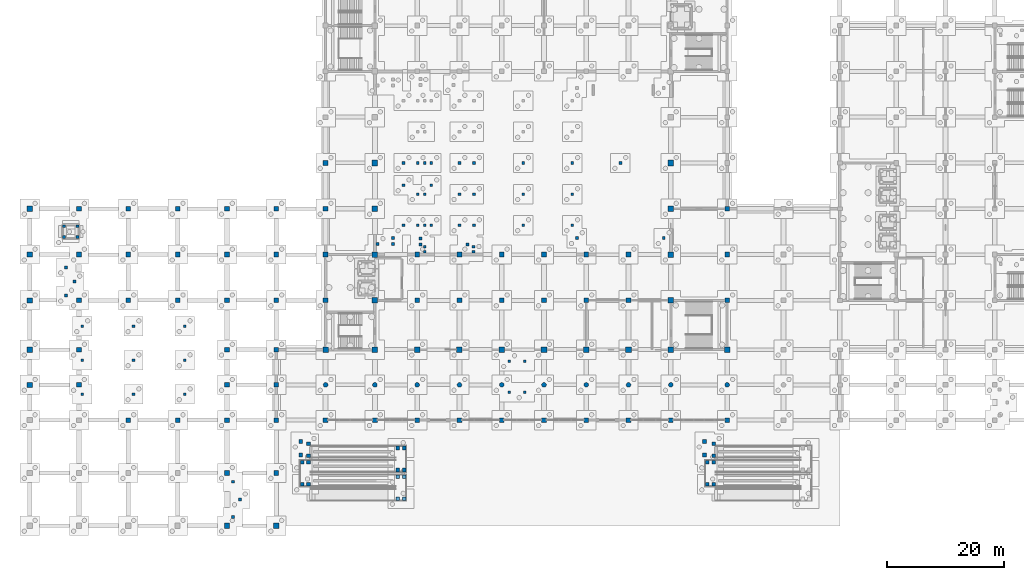
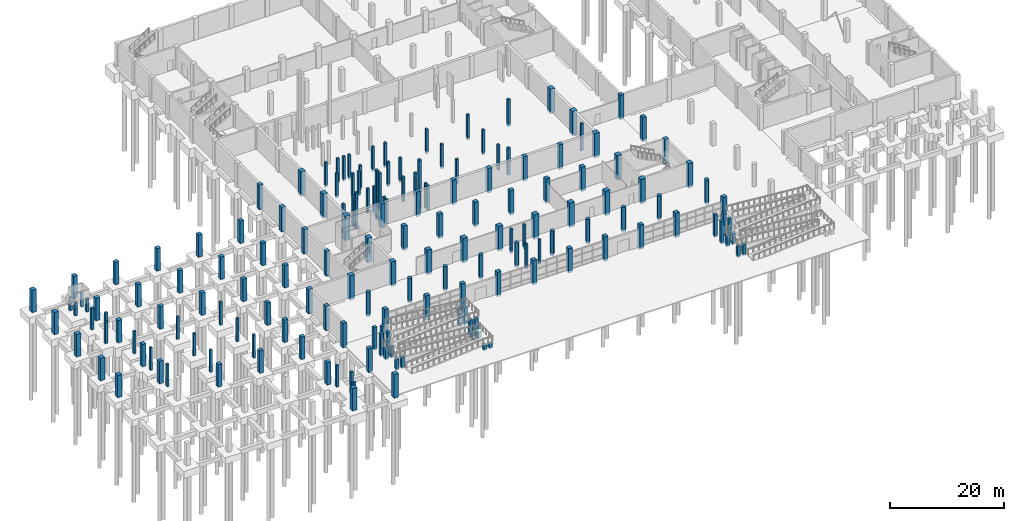
# One storey, part 16 of 42: 175 columns.
"""IFC4 building model written with IfcOpenShell, lengths in metres."""

from ifc_helpers import new_model, si_unit, direction, frame, origin, origin_2d, place, context, subcontext, project, spatial, rectangle, circle, extrude, material, material_profile, profile_set, type_object, element, save


model = new_model("IFC4")

# Units and contexts
model_context = context("Model", 3, precision=1e-05, world=origin(), true_north=direction((0.0, 1.0)))
body_context = subcontext(model_context, "Body", "Model", "MODEL_VIEW")
ifc_project = project(units=[si_unit("LENGTHUNIT", "METRE"), si_unit("AREAUNIT", "SQUARE_METRE"), si_unit("VOLUMEUNIT", "CUBIC_METRE"), si_unit("PLANEANGLEUNIT", "RADIAN"), si_unit("MASSUNIT", "GRAM", prefix="KILO")], contexts=[model_context])

# Site, building, storey
site_placement = place(None, origin())
site = spatial("IfcSite", under=ifc_project, at=site_placement, CompositionType="ELEMENT")
building_placement = place(site_placement, origin())
building = spatial("IfcBuilding", under=site, at=building_placement, Name="Pellamere Symphony Hall", CompositionType="ELEMENT")
storey_placement = place(building_placement, frame((0.0, 0.0, -4.800048828125)))
storey = spatial("IfcBuildingStorey", under=building, at=storey_placement, Name="B1", CompositionType="ELEMENT", Elevation=-4.800048828125)

# Columns
ifc_material_1 = material(Name="Concrete 50 MPa", Category="concrete")
ifc_material_profile_1 = material_profile(ifc_material_1, circle(Radius=0.39990234375, at=origin_2d()), Name="RCCOL D800")
ifc_profile_set_1 = profile_set([ifc_material_profile_1], Name="Concrete 50 MPa")
column_type_1 = type_object("IfcColumnType", Name="RC Circular Foyer Column CC-15 D800", PredefinedType="COLUMN", material=ifc_profile_set_1)
for number, where, z_axis, x_axis, name in (
    (1, (50.39990234375, 24.0, -0.449951171875), (0.0, 0.0, 1.0), (1.0, 0.0, 0.0), "Column C-7D (B1)"),
    (2, (58.800048828125, 24.0, -0.449951171875), (0.0, 0.0, 1.0), (1.0, 0.0, 0.0), "Column C-8D (B1)"),
    (3, (66.0, 24.0, -0.449951171875), (0.0, 0.0, 1.0), (1.0, 0.0, 0.0), "Column C-9D (B1)"),
    (4, (73.199951171875, 24.0, -0.449951171875), (0.0, 0.0, 1.0), (1.0, 0.0, 0.0), "Column C-10D (B1)"),
    (5, (80.39990234375, 24.0, -0.449951171875), (0.0, 0.0, 1.0), (1.0, 0.0, 0.0), "Column C-11D (B1)"),
    (6, (87.60009765625, 24.0, -0.449951171875), (0.0, 0.0, 1.0), (1.0, 0.0, 0.0), "Column C-12D (B1)"),
    (7, (94.800048828125, 24.0, -0.449951171875), (0.0, 0.0, 1.0), (1.0, 0.0, 0.0), "Column C-13D (B1)"),
    (8, (102.0, 24.0, -0.449951171875), (0.0, 0.0, 1.0), (1.0, 0.0, 0.0), "Column C-14D (B1)"),
    (9, (109.199951171875, 24.0, -0.449951171875), (0.0, 0.0, 1.0), (1.0, 0.0, 0.0), "Column C-15D (B1)"),
    (10, (118.800048828125, 24.0, -0.449951171875), (0.0, 0.0, 1.0), (1.0, 0.0, 0.0), "Column C-16D (B1)"),
):
    element("IfcColumn", number, at=place(storey_placement, frame(where, z_axis=z_axis, x_axis=x_axis)), inside=storey, type_object=column_type_1, Name=name, PredefinedType="COLUMN", context=body_context, shape_type="SweptSolid", body=[
        extrude(circle(Radius=0.39990234375, at=origin_2d()), origin(), (0.0, 0.0, 1.0), 5.25),
    ])
ifc_material_profile_2 = material_profile(ifc_material_1, rectangle(XDim=0.949951171875, YDim=0.949951171875, at=origin_2d()), Name="RC 950x950")
ifc_profile_set_2 = profile_set([ifc_material_profile_2], Name="Concrete 50 MPa")
column_type_2 = type_object("IfcColumnType", Name="RC Column CC-01 950x950", PredefinedType="COLUMN", material=ifc_profile_set_2)
for number, where, z_axis, x_axis, name in (
    (11, (50.39990234375, 30.0, -0.449951171875), (0.0, 0.0, 1.0), (1.0, 0.0, 0.0), "Column C-7E (B1)"),
    (12, (58.800048828125, 30.0, -0.449951171875), (0.0, 0.0, 1.0), (1.0, 0.0, 0.0), "Column C-8E (B1)"),
    (13, (58.800048828125, 38.39990234375, -0.449951171875), (0.0, 0.0, 1.0), (1.0, 0.0, 0.0), "Column C-8F (B1)"),
    (14, (58.800048828125, 46.199951171875, -0.449951171875), (0.0, 0.0, 1.0), (1.0, 0.0, 0.0), "Column C-8G (B1)"),
    (15, (58.800048828125, 54.0, -0.449951171875), (0.0, 0.0, 1.0), (1.0, 0.0, 0.0), "Column C-8H (B1)"),
    (16, (58.800048828125, 61.800048828125, -0.449951171875), (0.0, 0.0, 1.0), (1.0, 0.0, 0.0), "Column C-8I (B1)"),
    (17, (66.0, 30.0, -0.449951171875), (0.0, 0.0, 1.0), (1.0, 0.0, 0.0), "Column C-9E (B1)"),
    (18, (73.199951171875, 30.0, -0.449951171875), (0.0, 0.0, 1.0), (1.0, 0.0, 0.0), "Column C-10E (B1)"),
    (19, (80.39990234375, 30.0, -0.449951171875), (0.0, 0.0, 1.0), (1.0, 0.0, 0.0), "Column C-11E (B1)"),
    (20, (87.60009765625, 30.0, -0.449951171875), (0.0, 0.0, 1.0), (1.0, 0.0, 0.0), "Column C-12E (B1)"),
    (21, (94.800048828125, 30.0, -0.449951171875), (0.0, 0.0, 1.0), (1.0, 0.0, 0.0), "Column C-13E (B1)"),
    (22, (102.0, 30.0, -0.449951171875), (0.0, 0.0, 1.0), (1.0, 0.0, 0.0), "Column C-14E (B1)"),
    (23, (109.199951171875, 30.0, -0.449951171875), (0.0, 0.0, 1.0), (1.0, 0.0, 0.0), "Column C-15E (B1)"),
    (24, (109.199951171875, 38.39990234375, -0.449951171875), (0.0, 0.0, 1.0), (1.0, 0.0, 0.0), "Column C-15F (B1)"),
    (25, (109.199951171875, 46.199951171875, -0.449951171875), (0.0, 0.0, 1.0), (1.0, 0.0, 0.0), "Column C-15G (B1)"),
    (26, (109.199951171875, 54.0, -0.449951171875), (0.0, 0.0, 1.0), (1.0, 0.0, 0.0), "Column C-15H (B1)"),
    (27, (109.199951171875, 61.800048828125, -0.449951171875), (0.0, 0.0, 1.0), (1.0, 0.0, 0.0), "Column C-15I (B1)"),
    (28, (118.800048828125, 30.0, -0.449951171875), (0.0, 0.0, 1.0), (1.0, 0.0, 0.0), "Column C-16E (B1)"),
):
    element("IfcColumn", number, at=place(storey_placement, frame(where, z_axis=z_axis, x_axis=x_axis)), inside=storey, type_object=column_type_2, Name=name, PredefinedType="COLUMN", context=body_context, shape_type="SweptSolid", body=[
        extrude(rectangle(XDim=0.949951171875, YDim=0.949951171875, at=origin_2d()), origin(), (0.0, 0.0, 1.0), 5.25),
    ])
ifc_material_2 = material(Name="Concrete 40 MPa", Category="concrete")
ifc_material_profile_3 = material_profile(ifc_material_2, rectangle(XDim=0.800048828125, YDim=0.800048828125, at=origin_2d()), Name="RC 800x800")
ifc_profile_set_3 = profile_set([ifc_material_profile_3], Name="Concrete 40 MPa")
column_type_3 = type_object("IfcColumnType", Name="RC Column CC-04 800x800", PredefinedType="COLUMN", material=ifc_profile_set_3)
for number, where, z_axis, x_axis, name in (
    (29, (8.39990234375, 24.0, 0.0), (0.0, 0.0, 1.0), (1.0, 0.0, 0.0), "Column C-2D (B1)"),
    (30, (8.39990234375, 30.0, 0.0), (0.0, 0.0, 1.0), (1.0, 0.0, 0.0), "Column C-2E (B1)"),
    (31, (8.39990234375, 38.39990234375, 0.0), (0.0, 0.0, 1.0), (1.0, 0.0, 0.0), "Column C-2F (B1)"),
    (32, (8.39990234375, 46.199951171875, 0.0), (0.0, 0.0, 1.0), (1.0, 0.0, 0.0), "Column C-2G (B1)"),
    (33, (8.39990234375, 54.0, 0.0), (0.0, 0.0, 1.0), (1.0, 0.0, 0.0), "Column C-2H (B1)"),
    (34, (16.800048828125, 18.0, 0.0), (0.0, 0.0, 1.0), (1.0, 0.0, 0.0), "Column C-3C (B1)"),
    (35, (16.800048828125, 38.39990234375, 0.0), (0.0, 0.0, 1.0), (1.0, 0.0, 0.0), "Column C-3F (B1)"),
    (36, (16.800048828125, 46.199951171875, 0.0), (0.0, 0.0, 1.0), (1.0, 0.0, 0.0), "Column C-3G (B1)"),
    (37, (16.800048828125, 54.0, 0.0), (0.0, 0.0, 1.0), (1.0, 0.0, 0.0), "Column C-3H (B1)"),
    (38, (25.199951171875, 18.0, 0.0), (0.0, 0.0, 1.0), (1.0, 0.0, 0.0), "Column C-4C (B1)"),
    (39, (25.199951171875, 38.39990234375, 0.0), (0.0, 0.0, 1.0), (1.0, 0.0, 0.0), "Column C-4F (B1)"),
    (40, (25.199951171875, 46.199951171875, 0.0), (0.0, 0.0, 1.0), (1.0, 0.0, 0.0), "Column C-4G (B1)"),
    (41, (25.199951171875, 54.0, 0.0), (0.0, 0.0, 1.0), (1.0, 0.0, 0.0), "Column C-4H (B1)"),
    (42, (33.60009765625, 9.0, 0.0), (0.0, 0.0, 1.0), (1.0, 0.0, 0.0), "Column C-5B (B1)"),
    (43, (33.60009765625, 18.0, 0.0), (0.0, 0.0, 1.0), (1.0, 0.0, 0.0), "Column C-5C (B1)"),
    (44, (33.60009765625, 24.0, 0.0), (0.0, 0.0, 1.0), (1.0, 0.0, 0.0), "Column C-5D (B1)"),
    (45, (33.60009765625, 30.0, 0.0), (0.0, 0.0, 1.0), (1.0, 0.0, 0.0), "Column C-5E (B1)"),
    (46, (33.60009765625, 38.39990234375, 0.0), (0.0, 0.0, 1.0), (1.0, 0.0, 0.0), "Column C-5F (B1)"),
    (47, (33.60009765625, 46.199951171875, 0.0), (0.0, 0.0, 1.0), (1.0, 0.0, 0.0), "Column C-5G (B1)"),
    (48, (33.60009765625, 54.0, 0.0), (0.0, 0.0, 1.0), (1.0, 0.0, 0.0), "Column C-5H (B1)"),
):
    element("IfcColumn", number, at=place(storey_placement, frame(where, z_axis=z_axis, x_axis=x_axis)), inside=storey, type_object=column_type_3, Name=name, PredefinedType="COLUMN", context=body_context, shape_type="SweptSolid", body=[
        extrude(rectangle(XDim=0.800048828125, YDim=0.800048828125, at=origin_2d()), origin(), (0.0, 0.0, 1.0), 4.800048828125),
    ])
column_1_placement = place(storey_placement, frame((42.0, 9.0, -0.25), z_axis=(0.0, 0.0, 1.0), x_axis=(1.0, 0.0, 0.0)))
element("IfcColumn", 49, at=column_1_placement, inside=storey, type_object=column_type_3, Name="Column C-6B (B1)", PredefinedType="COLUMN", context=body_context, shape_type="SweptSolid", body=[
    extrude(rectangle(XDim=0.800048828125, YDim=0.800048828125, at=origin_2d()), origin(), (0.0, 0.0, 1.0), 5.050048828125),
])
for number, where, z_axis, x_axis, name in (
    (50, (42.0, 18.0, -0.449951171875), (0.0, 0.0, 1.0), (1.0, 0.0, 0.0), "Column C-6C (B1)"),
    (51, (42.0, 24.0, -0.449951171875), (0.0, 0.0, 1.0), (1.0, 0.0, 0.0), "Column C-6D (B1)"),
    (52, (42.0, 30.0, -0.449951171875), (0.0, 0.0, 1.0), (1.0, 0.0, 0.0), "Column C-6E (B1)"),
):
    element("IfcColumn", number, at=place(storey_placement, frame(where, z_axis=z_axis, x_axis=x_axis)), inside=storey, type_object=column_type_3, Name=name, PredefinedType="COLUMN", context=body_context, shape_type="SweptSolid", body=[
        extrude(rectangle(XDim=0.800048828125, YDim=0.800048828125, at=origin_2d()), origin(), (0.0, 0.0, 1.0), 5.25),
    ])
for number, where, z_axis, x_axis, name in (
    (53, (42.0, 38.39990234375, 0.0), (0.0, 0.0, 1.0), (1.0, 0.0, 0.0), "Column C-6F (B1)"),
    (54, (42.0, 46.199951171875, 0.0), (0.0, 0.0, 1.0), (1.0, 0.0, 0.0), "Column C-6G (B1)"),
    (55, (42.0, 54.0, 0.0), (0.0, 0.0, 1.0), (1.0, 0.0, 0.0), "Column C-6H (B1)"),
):
    element("IfcColumn", number, at=place(storey_placement, frame(where, z_axis=z_axis, x_axis=x_axis)), inside=storey, type_object=column_type_3, Name=name, PredefinedType="COLUMN", context=body_context, shape_type="SweptSolid", body=[
        extrude(rectangle(XDim=0.800048828125, YDim=0.800048828125, at=origin_2d()), origin(), (0.0, 0.0, 1.0), 4.800048828125),
    ])
for number, where, z_axis, x_axis, name in (
    (56, (50.39990234375, 18.0, -0.449951171875), (0.0, 0.0, 1.0), (1.0, 0.0, 0.0), "Column C-7C (B1)"),
    (57, (50.39990234375, 38.39990234375, -0.449951171875), (0.0, 0.0, 1.0), (1.0, 0.0, 0.0), "Column C-7F (B1)"),
    (58, (50.39990234375, 46.199951171875, -0.449951171875), (0.0, 0.0, 1.0), (1.0, 0.0, 0.0), "Column C-7G (B1)"),
    (59, (50.39990234375, 54.0, -0.449951171875), (0.0, 0.0, 1.0), (1.0, 0.0, 0.0), "Column C-7H (B1)"),
    (60, (50.39990234375, 61.800048828125, -0.449951171875), (0.0, 0.0, 1.0), (1.0, 0.0, 0.0), "Column C-7I (B1)"),
    (61, (58.800048828125, 18.0, -0.449951171875), (0.0, 0.0, 1.0), (1.0, 0.0, 0.0), "Column C-8C (B1)"),
    (62, (66.0, 18.0, -0.449951171875), (0.0, 0.0, 1.0), (1.0, 0.0, 0.0), "Column C-9C (B1)"),
    (63, (66.0, 38.39990234375, -0.449951171875), (0.0, 0.0, 1.0), (1.0, 0.0, 0.0), "Column C-9F (B1)"),
    (64, (66.0, 46.199951171875, -0.449951171875), (0.0, 0.0, 1.0), (1.0, 0.0, 0.0), "Column C-9G (B1)"),
    (65, (73.199951171875, 18.0, -0.449951171875), (0.0, 0.0, 1.0), (1.0, 0.0, 0.0), "Column C-10C (B1)"),
    (66, (73.199951171875, 38.39990234375, -0.449951171875), (0.0, 0.0, 1.0), (1.0, 0.0, 0.0), "Column C-10F (B1)"),
    (67, (73.199951171875, 46.199951171875, -0.449951171875), (0.0, 0.0, 1.0), (1.0, 0.0, 0.0), "Column C-10G (B1)"),
    (68, (80.39990234375, 18.0, -0.449951171875), (0.0, 0.0, 1.0), (1.0, 0.0, 0.0), "Column C-11C (B1)"),
    (69, (80.39990234375, 38.39990234375, -0.449951171875), (0.0, 0.0, 1.0), (1.0, 0.0, 0.0), "Column C-11F (B1)"),
    (70, (80.39990234375, 46.199951171875, -0.449951171875), (0.0, 0.0, 1.0), (1.0, 0.0, 0.0), "Column C-11G (B1)"),
    (71, (87.60009765625, 18.0, -0.449951171875), (0.0, 0.0, 1.0), (1.0, 0.0, 0.0), "Column C-12C (B1)"),
    (72, (87.60009765625, 38.39990234375, -0.449951171875), (0.0, 0.0, 1.0), (1.0, 0.0, 0.0), "Column C-12F (B1)"),
    (73, (87.60009765625, 46.199951171875, -0.449951171875), (0.0, 0.0, 1.0), (1.0, 0.0, 0.0), "Column C-12G (B1)"),
    (74, (94.800048828125, 18.0, -0.449951171875), (0.0, 0.0, 1.0), (1.0, 0.0, 0.0), "Column C-13C (B1)"),
    (75, (94.800048828125, 38.39990234375, -0.449951171875), (0.0, 0.0, 1.0), (1.0, 0.0, 0.0), "Column C-13F (B1)"),
    (76, (94.800048828125, 46.199951171875, -0.449951171875), (0.0, 0.0, 1.0), (1.0, 0.0, 0.0), "Column C-13G (B1)"),
    (77, (102.0, 18.0, -0.449951171875), (0.0, 0.0, 1.0), (1.0, 0.0, 0.0), "Column C-14C (B1)"),
    (78, (102.0, 38.39990234375, -0.449951171875), (0.0, 0.0, 1.0), (1.0, 0.0, 0.0), "Column C-14F (B1)"),
    (79, (102.0, 46.199951171875, -0.449951171875), (0.0, 0.0, 1.0), (1.0, 0.0, 0.0), "Column C-14G (B1)"),
    (80, (109.199951171875, 18.0, -0.449951171875), (0.0, 0.0, 1.0), (1.0, 0.0, 0.0), "Column C-15C (B1)"),
    (81, (118.800048828125, 18.0, -0.449951171875), (0.0, 0.0, 1.0), (1.0, 0.0, 0.0), "Column C-16C (B1)"),
    (82, (118.800048828125, 38.39990234375, -0.449951171875), (0.0, 0.0, 1.0), (1.0, 0.0, 0.0), "Column C-16F (B1)"),
    (83, (118.800048828125, 46.199951171875, -0.449951171875), (0.0, 0.0, 1.0), (1.0, 0.0, 0.0), "Column C-16G (B1)"),
    (84, (118.800048828125, 54.0, -0.449951171875), (0.0, 0.0, 1.0), (1.0, 0.0, 0.0), "Column C-16H (B1)"),
):
    element("IfcColumn", number, at=place(storey_placement, frame(where, z_axis=z_axis, x_axis=x_axis)), inside=storey, type_object=column_type_3, Name=name, PredefinedType="COLUMN", context=body_context, shape_type="SweptSolid", body=[
        extrude(rectangle(XDim=0.800048828125, YDim=0.800048828125, at=origin_2d()), origin(), (0.0, 0.0, 1.0), 5.25),
    ])
ifc_material_3 = material(Name="Concrete 35 MPa", Category="concrete")
ifc_material_profile_4 = material_profile(ifc_material_3, rectangle(XDim=0.5, YDim=0.5, at=origin_2d()), Name="RC 500x500")
ifc_profile_set_4 = profile_set([ifc_material_profile_4], Name="Concrete 35 MPa")
column_type_4 = type_object("IfcColumnType", Name="RC Column CC-10 500x500", PredefinedType="COLUMN", material=ifc_profile_set_4)
for number, where, z_axis, x_axis, name in (
    (85, (6.199951171875, 39.199951171875, 0.0), (0.0, 0.0, 1.0), (1.0, 0.0, 0.0), "Stair ST03 Foundation Support Column 1"),
    (86, (6.199951171875, 44.0, 0.0), (0.0, 0.0, 1.0), (1.0, 0.0, 0.0), "Stair ST03 Foundation Support Column 2"),
    (87, (7.60009765625, 41.60009765625, 0.0), (0.0, 0.0, 1.0), (1.0, 0.0, 0.0), "Stair ST03 Foundation Support Column 3"),
    (88, (34.60009765625, 1.5, 0.0), (0.0, 0.0, 1.0), (1.0, 0.0, 0.0), "Stair ST09 Foundation Support Column 1"),
    (89, (34.60009765625, 7.5, 0.0), (0.0, 0.0, 1.0), (1.0, 0.0, 0.0), "Stair ST09 Foundation Support Column 2"),
    (90, (35.800048828125, 4.5, 0.0), (0.0, 0.0, 1.0), (1.0, 0.0, 0.0), "Stair ST09 Foundation Support Column 3"),
):
    element("IfcColumn", number, at=place(storey_placement, frame(where, z_axis=z_axis, x_axis=x_axis)), inside=storey, type_object=column_type_4, Name=name, PredefinedType="COLUMN", context=body_context, shape_type="SweptSolid", body=[
        extrude(rectangle(XDim=0.5, YDim=0.5, at=origin_2d()), origin(), (0.0, 0.0, 1.0), 4.580078125),
    ])
for number, where, z_axis, x_axis, name in (
    (91, (59.25, 48.0, -0.449951171875), (0.0, 0.0, 1.0), (1.0, 0.0, 0.0), "Vomitory VOM-01 Arrival Platform Column 1"),
    (92, (61.85009765625, 48.0, -0.449951171875), (0.0, 0.0, 1.0), (1.0, 0.0, 0.0), "Vomitory VOM-01 Arrival Platform Column 2"),
    (93, (61.85009765625, 49.0, -0.449951171875), (0.0, 0.0, 1.0), (1.0, 0.0, 0.0), "Vomitory VOM-01 Arrival Platform Column 3"),
):
    element("IfcColumn", number, at=place(storey_placement, frame(where, z_axis=z_axis, x_axis=x_axis)), inside=storey, type_object=column_type_4, Name=name, PredefinedType="COLUMN", context=body_context, shape_type="SweptSolid", body=[
        extrude(rectangle(XDim=0.5, YDim=0.5, at=origin_2d()), origin(), (0.0, 0.0, 1.0), 6.280029296875),
    ])
for number, where, z_axis, x_axis, name in (
    (94, (66.550048828125, 47.89990234375, -0.449951171875), (0.0, 0.0, 1.0), (1.0, 0.0, 0.0), "Vomitory VOM-03 Lower Landing Column 1"),
    (95, (74.550048828125, 47.89990234375, -0.449951171875), (0.0, 0.0, 1.0), (1.0, 0.0, 0.0), "Vomitory VOM-03 Lower Landing Column 2"),
    (96, (66.550048828125, 48.89990234375, -0.449951171875), (0.0, 0.0, 1.0), (1.0, 0.0, 0.0), "Vomitory VOM-03 Lower Landing Column 3"),
):
    element("IfcColumn", number, at=place(storey_placement, frame(where, z_axis=z_axis, x_axis=x_axis)), inside=storey, type_object=column_type_4, Name=name, PredefinedType="COLUMN", context=body_context, shape_type="SweptSolid", body=[
        extrude(rectangle(XDim=0.5, YDim=0.5, at=origin_2d()), origin(), (0.0, 0.0, 1.0), 10.429931640625),
    ])
for number, where, z_axis, x_axis, name in (
    (97, (93.199951171875, 49.0, -0.449951171875), (0.0, 0.0, 1.0), (1.0, 0.0, 0.0), "Stage Platform Support Pedestal 1"),
    (98, (108.0, 49.0, -0.449951171875), (0.0, 0.0, 1.0), (1.0, 0.0, 0.0), "Stage Platform Support Pedestal 2"),
    (99, (100.60009765625, 61.800048828125, -0.449951171875), (0.0, 0.0, 1.0), (1.0, 0.0, 0.0), "Stage Platform Support Pedestal 3"),
):
    element("IfcColumn", number, at=place(storey_placement, frame(where, z_axis=z_axis, x_axis=x_axis)), inside=storey, type_object=column_type_4, Name=name, PredefinedType="COLUMN", context=body_context, shape_type="SweptSolid", body=[
        extrude(rectangle(XDim=0.5, YDim=0.5, at=origin_2d()), origin(), (0.0, 0.0, 1.0), 5.800048828125),
    ])
for number, where, z_axis, x_axis, name in (
    (100, (5.85009765625, 49.175048828125, 0.0), (0.0, 0.0, 1.0), (1.0, 0.0, 0.0), "Elevator PL5 Pit Support Column 1"),
    (101, (8.14990234375, 49.175048828125, 0.0), (0.0, 0.0, 1.0), (1.0, 0.0, 0.0), "Elevator PL5 Pit Support Column 2"),
    (102, (8.14990234375, 51.02490234375, 0.0), (0.0, 0.0, 1.0), (1.0, 0.0, 0.0), "Elevator PL5 Pit Support Column 3"),
    (103, (5.85009765625, 51.02490234375, 0.0), (0.0, 0.0, 1.0), (1.0, 0.0, 0.0), "Elevator PL5 Pit Support Column 4"),
):
    element("IfcColumn", number, at=place(storey_placement, frame(where, z_axis=z_axis, x_axis=x_axis)), inside=storey, type_object=column_type_4, Name=name, PredefinedType="COLUMN", context=body_context, shape_type="SweptSolid", body=[
        extrude(rectangle(XDim=0.5, YDim=0.5, at=origin_2d()), origin(), (0.0, 0.0, 1.0), 2.820068359375),
    ])
ifc_material_profile_5 = material_profile(ifc_material_2, rectangle(XDim=0.449951171875, YDim=0.449951171875, at=origin_2d()), Name="RC 450x450")
ifc_profile_set_5 = profile_set([ifc_material_profile_5], Name="Concrete 40 MPa")
column_type_5 = type_object("IfcColumnType", Name="RC Column CC-18 450x450", PredefinedType="COLUMN", material=ifc_profile_set_5)
for number, where, z_axis, x_axis, name in (
    (104, (8.949951171875, 22.39990234375, 0.0), (0.0, 0.0, 1.0), (1.0, 0.0, 0.0), "Under-Tier Raker Support Column RKC-001 (B1)"),
    (105, (8.949951171875, 28.199951171875, 0.0), (0.0, 0.0, 1.0), (1.0, 0.0, 0.0), "Under-Tier Raker Support Column RKC-004 (B1)"),
    (106, (8.949951171875, 34.0, 0.0), (0.0, 0.0, 1.0), (1.0, 0.0, 0.0), "Under-Tier Raker Support Column RKC-007 (B1)"),
    (107, (17.675048828125, 22.39990234375, 0.0), (0.0, 0.0, 1.0), (1.0, 0.0, 0.0), "Under-Tier Raker Support Column RKC-010 (B1)"),
    (108, (17.675048828125, 28.199951171875, 0.0), (0.0, 0.0, 1.0), (1.0, 0.0, 0.0), "Under-Tier Raker Support Column RKC-012 (B1)"),
    (109, (17.675048828125, 34.0, 0.0), (0.0, 0.0, 1.0), (1.0, 0.0, 0.0), "Under-Tier Raker Support Column RKC-014 (B1)"),
):
    element("IfcColumn", number, at=place(storey_placement, frame(where, z_axis=z_axis, x_axis=x_axis)), inside=storey, type_object=column_type_5, Name=name, PredefinedType="COLUMN", context=body_context, shape_type="SweptSolid", body=[
        extrude(rectangle(XDim=0.449951171875, YDim=0.449951171875, at=origin_2d()), origin(), (0.0, 0.0, 1.0), 4.800048828125),
    ])
for number, where, z_axis, x_axis, name in (
    (110, (26.39990234375, 22.39990234375, 0.0), (0.0, 0.0, 1.0), (1.0, 0.0, 0.0), "Under-Tier Raker Support Column RKC-016 (B1)"),
    (111, (26.39990234375, 28.199951171875, 0.0), (0.0, 0.0, 1.0), (1.0, 0.0, 0.0), "Under-Tier Raker Support Column RKC-017 (B1)"),
    (112, (26.39990234375, 34.0, 0.0), (0.0, 0.0, 1.0), (1.0, 0.0, 0.0), "Under-Tier Raker Support Column RKC-018 (B1)"),
):
    element("IfcColumn", number, at=place(storey_placement, frame(where, z_axis=z_axis, x_axis=x_axis)), inside=storey, type_object=column_type_5, Name=name, PredefinedType="COLUMN", context=body_context, shape_type="SweptSolid", body=[
        extrude(rectangle(XDim=0.449951171875, YDim=0.449951171875, at=origin_2d()), origin(), (0.0, 0.0, 1.0), 4.949951171875),
    ])
for number, where, z_axis, x_axis, name in (
    (113, (63.675048828125, 51.199951171875, -0.449951171875), (0.0, 0.0, 1.0), (1.0, 0.0, 0.0), "Under-Tier Raker Support Column RKC-019 (B1)"),
    (114, (63.675048828125, 58.0, -0.449951171875), (0.0, 0.0, 1.0), (1.0, 0.0, 0.0), "Under-Tier Raker Support Column RKC-023 (B1)"),
    (115, (63.675048828125, 61.800048828125, -0.449951171875), (0.0, 0.0, 1.0), (1.0, 0.0, 0.0), "Under-Tier Raker Support Column RKC-027 (B1)"),
    (116, (66.074951171875, 51.199951171875, -0.449951171875), (0.0, 0.0, 1.0), (1.0, 0.0, 0.0), "Under-Tier Raker Support Column RKC-035 (B1)"),
    (117, (66.074951171875, 56.5, -0.449951171875), (0.0, 0.0, 1.0), (1.0, 0.0, 0.0), "Under-Tier Raker Support Column RKC-039 (B1)"),
    (118, (66.074951171875, 61.800048828125, -0.449951171875), (0.0, 0.0, 1.0), (1.0, 0.0, 0.0), "Under-Tier Raker Support Column RKC-043 (B1)"),
    (119, (67.27490234375, 46.64990234375, -0.449951171875), (0.0, 0.0, 1.0), (1.0, 0.0, 0.0), "Under-Tier Raker Support Column RKC-055 (B1)"),
    (120, (67.27490234375, 47.550048828125, -0.449951171875), (0.0, 0.0, 1.0), (1.0, 0.0, 0.0), "Under-Tier Raker Support Column RKC-058 (B1)"),
    (121, (67.31201171875, 51.199951171875, -0.449951171875), (0.0, 0.0, 1.0), (1.0, 0.0, 0.0), "Under-Tier Raker Support Column RKC-061 (B1)"),
    (122, (67.31201171875, 56.5, -0.449951171875), (0.0, 0.0, 1.0), (1.0, 0.0, 0.0), "Under-Tier Raker Support Column RKC-064 (B1)"),
    (123, (67.31201171875, 61.800048828125, -0.449951171875), (0.0, 0.0, 1.0), (1.0, 0.0, 0.0), "Under-Tier Raker Support Column RKC-067 (B1)"),
    (124, (68.39990234375, 51.199951171875, -0.449951171875), (0.0, 0.0, 1.0), (1.0, 0.0, 0.0), "Under-Tier Raker Support Column RKC-076 (B1)"),
    (125, (68.39990234375, 58.0, -0.449951171875), (0.0, 0.0, 1.0), (1.0, 0.0, 0.0), "Under-Tier Raker Support Column RKC-080 (B1)"),
    (126, (68.39990234375, 61.800048828125, -0.449951171875), (0.0, 0.0, 1.0), (1.0, 0.0, 0.0), "Under-Tier Raker Support Column RKC-084 (B1)"),
    (127, (73.199951171875, 51.199951171875, -0.449951171875), (0.0, 0.0, 1.0), (1.0, 0.0, 0.0), "Under-Tier Raker Support Column RKC-092 (B1)"),
    (128, (73.199951171875, 56.5, -0.449951171875), (0.0, 0.0, 1.0), (1.0, 0.0, 0.0), "Under-Tier Raker Support Column RKC-096 (B1)"),
    (129, (73.199951171875, 61.800048828125, -0.449951171875), (0.0, 0.0, 1.0), (1.0, 0.0, 0.0), "Under-Tier Raker Support Column RKC-100 (B1)"),
    (130, (75.60009765625, 46.64990234375, -0.449951171875), (0.0, 0.0, 1.0), (1.0, 0.0, 0.0), "Under-Tier Raker Support Column RKC-112 (B1)"),
    (131, (75.60009765625, 47.550048828125, -0.449951171875), (0.0, 0.0, 1.0), (1.0, 0.0, 0.0), "Under-Tier Raker Support Column RKC-114 (B1)"),
    (132, (75.675048828125, 51.199951171875, -0.449951171875), (0.0, 0.0, 1.0), (1.0, 0.0, 0.0), "Under-Tier Raker Support Column RKC-116 (B1)"),
    (133, (75.675048828125, 56.5, -0.449951171875), (0.0, 0.0, 1.0), (1.0, 0.0, 0.0), "Under-Tier Raker Support Column RKC-118 (B1)"),
    (134, (75.675048828125, 61.800048828125, -0.449951171875), (0.0, 0.0, 1.0), (1.0, 0.0, 0.0), "Under-Tier Raker Support Column RKC-120 (B1)"),
    (135, (84.037109375, 51.199951171875, -0.449951171875), (0.0, 0.0, 1.0), (1.0, 0.0, 0.0), "Under-Tier Raker Support Column RKC-126 (B1)"),
    (136, (84.037109375, 56.5, -0.449951171875), (0.0, 0.0, 1.0), (1.0, 0.0, 0.0), "Under-Tier Raker Support Column RKC-128 (B1)"),
    (137, (84.037109375, 61.800048828125, -0.449951171875), (0.0, 0.0, 1.0), (1.0, 0.0, 0.0), "Under-Tier Raker Support Column RKC-130 (B1)"),
):
    element("IfcColumn", number, at=place(storey_placement, frame(where, z_axis=z_axis, x_axis=x_axis)), inside=storey, type_object=column_type_5, Name=name, PredefinedType="COLUMN", context=body_context, shape_type="SweptSolid", body=[
        extrude(rectangle(XDim=0.449951171875, YDim=0.449951171875, at=origin_2d()), origin(), (0.0, 0.0, 1.0), 5.25),
    ])
for number, where, z_axis, x_axis, name in (
    (138, (92.39990234375, 51.199951171875, -0.449951171875), (0.0, 0.0, 1.0), (1.0, 0.0, 0.0), "Under-Tier Raker Support Column RKC-136 (B1)"),
    (139, (92.39990234375, 56.5, -0.449951171875), (0.0, 0.0, 1.0), (1.0, 0.0, 0.0), "Under-Tier Raker Support Column RKC-137 (B1)"),
    (140, (92.39990234375, 61.800048828125, -0.449951171875), (0.0, 0.0, 1.0), (1.0, 0.0, 0.0), "Under-Tier Raker Support Column RKC-138 (B1)"),
):
    element("IfcColumn", number, at=place(storey_placement, frame(where, z_axis=z_axis, x_axis=x_axis)), inside=storey, type_object=column_type_5, Name=name, PredefinedType="COLUMN", context=body_context, shape_type="SweptSolid", body=[
        extrude(rectangle(XDim=0.449951171875, YDim=0.449951171875, at=origin_2d()), origin(), (0.0, 0.0, 1.0), 5.39990234375),
    ])
ifc_material_profile_6 = material_profile(ifc_material_2, rectangle(XDim=0.419921875, YDim=0.419921875, at=origin_2d()), Name="RC 420x420")
ifc_profile_set_6 = profile_set([ifc_material_profile_6], Name="Concrete 40 MPa")
column_type_6 = type_object("IfcColumnType", Name="RC Column CC-19 420x420", PredefinedType="COLUMN", material=ifc_profile_set_6)
for number, where, z_axis, x_axis, name in (
    (141, (81.64990234375, 22.75, -0.449951171875), (0.0, 0.0, 1.0), (1.0, 0.0, 0.0), "Feature Stair Atrium Support Column 1 (B1)"),
    (142, (84.300048828125, 22.75, -0.449951171875), (0.0, 0.0, 1.0), (1.0, 0.0, 0.0), "Feature Stair Atrium Support Column 2 (B1)"),
    (143, (81.64990234375, 28.050048828125, -0.449951171875), (0.0, 0.0, 1.0), (1.0, 0.0, 0.0), "Feature Stair Atrium Support Column 3 (B1)"),
    (144, (84.300048828125, 28.050048828125, -0.449951171875), (0.0, 0.0, 1.0), (1.0, 0.0, 0.0), "Feature Stair Atrium Support Column 4 (B1)"),
):
    element("IfcColumn", number, at=place(storey_placement, frame(where, z_axis=z_axis, x_axis=x_axis)), inside=storey, type_object=column_type_6, Name=name, PredefinedType="COLUMN", context=body_context, shape_type="SweptSolid", body=[
        extrude(rectangle(XDim=0.419921875, YDim=0.419921875, at=origin_2d()), origin(), (0.0, 0.0, 1.0), 5.25),
    ])
ifc_material_profile_7 = material_profile(ifc_material_1, rectangle(XDim=0.8798828125, YDim=0.8798828125, at=origin_2d()), Name="RC 880x880")
ifc_profile_set_7 = profile_set([ifc_material_profile_7], Name="Concrete 50 MPa")
column_type_7 = type_object("IfcColumnType", Name="RC Column CCP-01 880x880", PredefinedType="COLUMN", material=ifc_profile_set_7)
for number, where, z_axis, x_axis, name in (
    (145, (0.0, 24.0, 0.0), (0.0, 0.0, 1.0), (1.0, 0.0, 0.0), "Column C-1D (B1)"),
    (146, (0.0, 30.0, 0.0), (0.0, 0.0, 1.0), (1.0, 0.0, 0.0), "Column C-1E (B1)"),
    (147, (0.0, 38.39990234375, 0.0), (0.0, 0.0, 1.0), (1.0, 0.0, 0.0), "Column C-1F (B1)"),
    (148, (0.0, 46.199951171875, 0.0), (0.0, 0.0, 1.0), (1.0, 0.0, 0.0), "Column C-1G (B1)"),
    (149, (0.0, 54.0, 0.0), (0.0, 0.0, 1.0), (1.0, 0.0, 0.0), "Column C-1H (B1)"),
    (150, (33.60009765625, 0.0, 0.0), (0.0, 0.0, 1.0), (1.0, 0.0, 0.0), "Column C-5A (B1)"),
):
    element("IfcColumn", number, at=place(storey_placement, frame(where, z_axis=z_axis, x_axis=x_axis)), inside=storey, type_object=column_type_7, Name=name, PredefinedType="COLUMN", context=body_context, shape_type="SweptSolid", body=[
        extrude(rectangle(XDim=0.8798828125, YDim=0.8798828125, at=origin_2d()), origin(), (0.0, 0.0, 1.0), 4.800048828125),
    ])
column_2_placement = place(storey_placement, frame((42.0, 0.0, -0.25), z_axis=(0.0, 0.0, 1.0), x_axis=(1.0, 0.0, 0.0)))
element("IfcColumn", 151, at=column_2_placement, inside=storey, type_object=column_type_7, Name="Column C-6A (B1)", PredefinedType="COLUMN", context=body_context, shape_type="SweptSolid", body=[
    extrude(rectangle(XDim=0.8798828125, YDim=0.8798828125, at=origin_2d()), origin(), (0.0, 0.0, 1.0), 5.050048828125),
])
ifc_material_profile_8 = material_profile(ifc_material_3, rectangle(XDim=0.6201171875, YDim=0.6201171875, at=origin_2d()), Name="RC 620x620")
ifc_profile_set_8 = profile_set([ifc_material_profile_8], Name="Concrete 35 MPa")
column_type_8 = type_object("IfcColumnType", Name="RC Column CCP-06 620x620", PredefinedType="COLUMN", material=ifc_profile_set_8)
for number, where, z_axis, x_axis, name in (
    (152, (62.699951171875, 4.60009765625, -0.25), (0.0, 0.0, 1.0), (1.0, 0.0, 0.0), "Ramp RMP-01 Landing Support Column 1.1"),
    (153, (62.699951171875, 8.35009765625, -0.25), (0.0, 0.0, 1.0), (1.0, 0.0, 0.0), "Ramp RMP-01 Landing Support Column 1.2"),
    (154, (63.800048828125, 4.60009765625, -0.25), (0.0, 0.0, 1.0), (1.0, 0.0, 0.0), "Ramp RMP-01 Landing Support Column 1.3"),
    (155, (63.800048828125, 8.35009765625, -0.25), (0.0, 0.0, 1.0), (1.0, 0.0, 0.0), "Ramp RMP-01 Landing Support Column 1.4"),
):
    element("IfcColumn", number, at=place(storey_placement, frame(where, z_axis=z_axis, x_axis=x_axis)), inside=storey, type_object=column_type_8, Name=name, PredefinedType="COLUMN", context=body_context, shape_type="SweptSolid", body=[
        extrude(rectangle(XDim=0.6201171875, YDim=0.6201171875, at=origin_2d()), origin(), (0.0, 0.0, 1.0), 1.150146484375),
    ])
for number, where, z_axis, x_axis, name in (
    (156, (46.39990234375, 7.050048828125, -0.25), (0.0, 0.0, 1.0), (1.0, 0.0, 0.0), "Ramp RMP-01 Landing Support Column 2.1"),
    (157, (46.39990234375, 10.800048828125, -0.25), (0.0, 0.0, 1.0), (1.0, 0.0, 0.0), "Ramp RMP-01 Landing Support Column 2.2"),
    (158, (47.5, 7.050048828125, -0.25), (0.0, 0.0, 1.0), (1.0, 0.0, 0.0), "Ramp RMP-01 Landing Support Column 2.3"),
    (159, (47.5, 10.800048828125, -0.25), (0.0, 0.0, 1.0), (1.0, 0.0, 0.0), "Ramp RMP-01 Landing Support Column 2.4"),
):
    element("IfcColumn", number, at=place(storey_placement, frame(where, z_axis=z_axis, x_axis=x_axis)), inside=storey, type_object=column_type_8, Name=name, PredefinedType="COLUMN", context=body_context, shape_type="SweptSolid", body=[
        extrude(rectangle(XDim=0.6201171875, YDim=0.6201171875, at=origin_2d()), origin(), (0.0, 0.0, 1.0), 2.35009765625),
    ])
for number, where, z_axis, x_axis, name in (
    (160, (62.699951171875, 9.5, -0.25), (0.0, 0.0, 1.0), (1.0, 0.0, 0.0), "Ramp RMP-01 Landing Support Column 3.1"),
    (161, (62.699951171875, 13.25, -0.25), (0.0, 0.0, 1.0), (1.0, 0.0, 0.0), "Ramp RMP-01 Landing Support Column 3.2"),
    (162, (63.800048828125, 9.5, -0.25), (0.0, 0.0, 1.0), (1.0, 0.0, 0.0), "Ramp RMP-01 Landing Support Column 3.3"),
    (163, (63.800048828125, 13.25, -0.25), (0.0, 0.0, 1.0), (1.0, 0.0, 0.0), "Ramp RMP-01 Landing Support Column 3.4"),
):
    element("IfcColumn", number, at=place(storey_placement, frame(where, z_axis=z_axis, x_axis=x_axis)), inside=storey, type_object=column_type_8, Name=name, PredefinedType="COLUMN", context=body_context, shape_type="SweptSolid", body=[
        extrude(rectangle(XDim=0.6201171875, YDim=0.6201171875, at=origin_2d()), origin(), (0.0, 0.0, 1.0), 3.550048828125),
    ])
for number, where, z_axis, x_axis, name in (
    (164, (115.39990234375, 7.050048828125, -0.25), (0.0, 0.0, 1.0), (1.0, 0.0, 0.0), "Ramp RMP-02 Landing Support Column 2.1"),
    (165, (115.39990234375, 10.800048828125, -0.25), (0.0, 0.0, 1.0), (1.0, 0.0, 0.0), "Ramp RMP-02 Landing Support Column 2.2"),
    (166, (116.5, 7.050048828125, -0.25), (0.0, 0.0, 1.0), (1.0, 0.0, 0.0), "Ramp RMP-02 Landing Support Column 2.3"),
    (167, (116.5, 10.800048828125, -0.25), (0.0, 0.0, 1.0), (1.0, 0.0, 0.0), "Ramp RMP-02 Landing Support Column 2.4"),
):
    element("IfcColumn", number, at=place(storey_placement, frame(where, z_axis=z_axis, x_axis=x_axis)), inside=storey, type_object=column_type_8, Name=name, PredefinedType="COLUMN", context=body_context, shape_type="SweptSolid", body=[
        extrude(rectangle(XDim=0.6201171875, YDim=0.6201171875, at=origin_2d()), origin(), (0.0, 0.0, 1.0), 2.35009765625),
    ])
for number, where, z_axis, x_axis, name in (
    (168, (46.14990234375, 12.050048828125, -0.25), (0.0, 0.0, 1.0), (1.0, 0.0, 0.0), "Ramp RMP-01 Arrival Bridge Column 1"),
    (169, (47.5, 11.949951171875, -0.25), (0.0, 0.0, 1.0), (1.0, 0.0, 0.0), "Ramp RMP-01 Arrival Bridge Column 2"),
    (170, (47.5, 13.949951171875, -0.25), (0.0, 0.0, 1.0), (1.0, 0.0, 0.0), "Ramp RMP-01 Arrival Bridge Column 3"),
    (171, (46.14990234375, 14.35009765625, -0.25), (0.0, 0.0, 1.0), (1.0, 0.0, 0.0), "Ramp RMP-01 Arrival Bridge Column 4"),
    (172, (114.949951171875, 12.050048828125, -0.25), (0.0, 0.0, 1.0), (1.0, 0.0, 0.0), "Ramp RMP-02 Arrival Bridge Column 1"),
    (173, (116.5, 11.949951171875, -0.25), (0.0, 0.0, 1.0), (1.0, 0.0, 0.0), "Ramp RMP-02 Arrival Bridge Column 2"),
    (174, (116.5, 13.949951171875, -0.25), (0.0, 0.0, 1.0), (1.0, 0.0, 0.0), "Ramp RMP-02 Arrival Bridge Column 3"),
    (175, (114.949951171875, 14.35009765625, -0.25), (0.0, 0.0, 1.0), (1.0, 0.0, 0.0), "Ramp RMP-02 Arrival Bridge Column 4"),
):
    element("IfcColumn", number, at=place(storey_placement, frame(where, z_axis=z_axis, x_axis=x_axis)), inside=storey, type_object=column_type_8, Name=name, PredefinedType="COLUMN", context=body_context, shape_type="SweptSolid", body=[
        extrude(rectangle(XDim=0.6201171875, YDim=0.6201171875, at=origin_2d()), origin(), (0.0, 0.0, 1.0), 4.800048828125),
    ])

save(model, "model.ifc")
